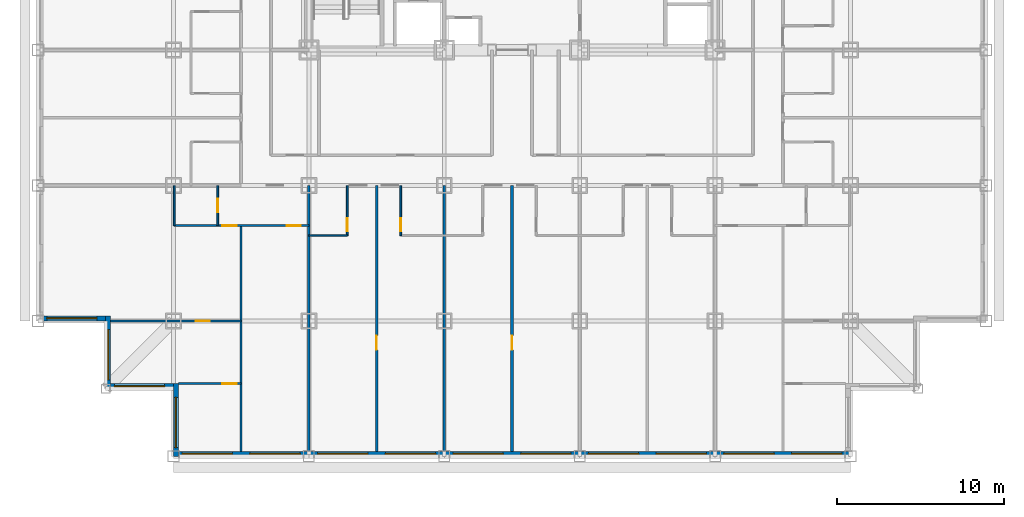
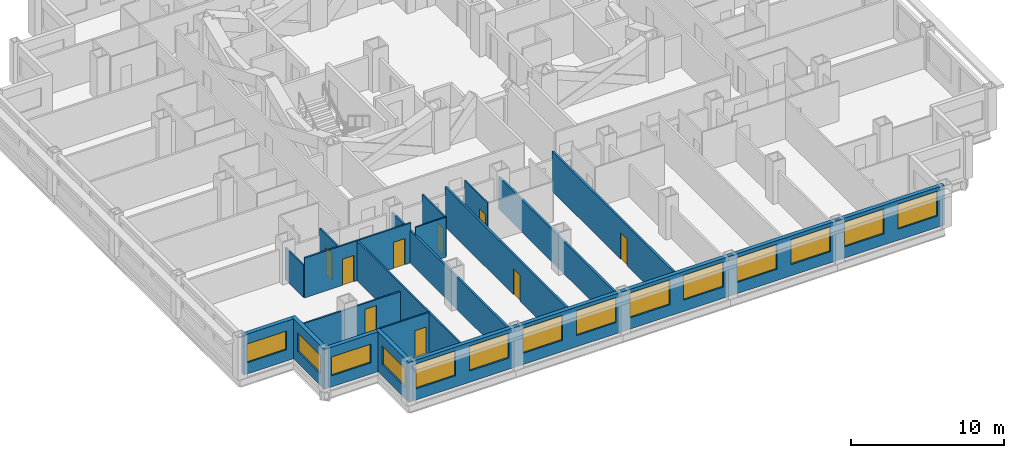
# One storey, part 3 of 12: 18 walls, 14 windows, 9 doors, 23 openings.
"""IFC4 building model written with IfcOpenShell, lengths in metres."""

from ifc_helpers import new_model, si_unit, direction, frame, frame_2d, origin, place, context, subcontext, project, spatial, rectangle, extrude, material, layer, layer_set, type_object, element, fill, save


model = new_model("IFC4")

# Units and contexts
model_context = context("Model", 3, precision=1e-05, world=origin(), true_north=direction((0.0, 1.0)))
body_context = subcontext(model_context, "Body", "Model", "MODEL_VIEW")
ifc_project = project(units=[si_unit("LENGTHUNIT", "METRE"), si_unit("AREAUNIT", "SQUARE_METRE"), si_unit("VOLUMEUNIT", "CUBIC_METRE"), si_unit("PLANEANGLEUNIT", "RADIAN"), si_unit("MASSUNIT", "GRAM", prefix="KILO")], contexts=[model_context])

# Site, building, storey
site_placement = place(None, origin())
site = spatial("IfcSite", under=ifc_project, at=site_placement, CompositionType="ELEMENT")
building_placement = place(site_placement, origin())
building = spatial("IfcBuilding", under=site, at=building_placement, Name="Kopane Lantern Tower", CompositionType="ELEMENT")
storey_placement = place(building_placement, frame((0.0, 0.0, 36.39990234375)))
storey = spatial("IfcBuildingStorey", under=building, at=storey_placement, Name="L07", CompositionType="ELEMENT", Elevation=36.39990234375)

# Wall, openings, doors
ifc_material_1 = material(Name="Gypsum board on steel studs", Category="steel")
ifc_layer_1 = layer(ifc_material_1, 0.1201171875)
ifc_layer_set_1 = layer_set([ifc_layer_1], Name="APARTMENT INTERNAL WALL 120")
wall_type_1 = type_object("IfcWallType", Name="APARTMENT INTERNAL WALL 120", PredefinedType="PARTITIONING", material=ifc_layer_set_1)
wall_1_placement = place(storey_placement, frame((8.14990234375, 13.800048828125, 0.0), z_axis=(0.0, 0.0, 1.0), x_axis=(1.0, 0.0, 0.0)))
wall_1 = element("IfcWall", 1, at=wall_1_placement, inside=storey, type_object=wall_type_1, Name="Apartment Internal Wall 120 L07", PredefinedType="PARTITIONING", context=body_context, shape_type="SweptSolid", body=[
    extrude(rectangle(XDim=8.050048828125, YDim=0.1201171875, at=frame_2d((4.02490234375, 0.0))), origin(), (0.0, 0.0, 1.0), 3.190185546875),
])
opening_1_placement = place(wall_1_placement, frame((6.72509765625, 0.0, 0.0)))
opening_1 = element("IfcOpeningElement", 2, at=opening_1_placement, cuts=wall_1, Name="Opening L07-060", PredefinedType="OPENING", context=body_context, shape_type="SweptSolid", body=[
    extrude(rectangle(XDim=0.85009765625, YDim=2.10009765625, at=frame_2d((0.425048828125, 1.050048828125))), frame((0.0, 0.070068359375, 0.0), z_axis=(0.0, -1.0, 0.0), x_axis=(1.0, 0.0, 0.0)), (0.0, 0.0, 1.0), 0.14013671875),
])
opening_2_placement = place(wall_1_placement, frame((2.875, 0.0, 0.0)))
opening_2 = element("IfcOpeningElement", 3, at=opening_2_placement, cuts=wall_1, Name="Opening L07-062", PredefinedType="OPENING", context=body_context, shape_type="SweptSolid", body=[
    extrude(rectangle(XDim=0.85009765625, YDim=2.10009765625, at=frame_2d((0.425048828125, 1.050048828125))), frame((0.0, 0.070068359375, 0.0), z_axis=(0.0, -1.0, 0.0), x_axis=(1.0, 0.0, 0.0)), (0.0, 0.0, 1.0), 0.14013671875),
])
ifc_material_2 = material(Name="Timber door set", Category="wood")
door_type_1 = type_object("IfcDoorType", Name="DOOR D4 850x2100", OperationType="SINGLE_SWING_LEFT", PredefinedType="DOOR", material=ifc_material_2)
door_1_placement = place(opening_1_placement, origin())
door_1 = element("IfcDoor", 4, at=door_1_placement, inside=storey, type_object=door_type_1, Name="Door L07-060", OperationType="SINGLE_SWING_RIGHT", OverallHeight=2.10009765625, OverallWidth=0.85009765625, PredefinedType="DOOR", context=body_context, shape_type="SweptSolid", body=[
    extrude(rectangle(XDim=0.85009765625, YDim=2.10009765625, at=frame_2d((0.425048828125, 1.050048828125))), frame((0.0, 0.02490234375, 0.0), z_axis=(0.0, -1.0, 0.0), x_axis=(1.0, 0.0, 0.0)), (0.0, 0.0, 1.0), 0.050048828125),
])
fill(opening_1, door_1)
door_2_placement = place(opening_2_placement, origin())
door_2 = element("IfcDoor", 5, at=door_2_placement, inside=storey, type_object=door_type_1, Name="Door L07-062", OperationType="SINGLE_SWING_LEFT", OverallHeight=2.10009765625, OverallWidth=0.85009765625, PredefinedType="DOOR", context=body_context, shape_type="SweptSolid", body=[
    extrude(rectangle(XDim=0.85009765625, YDim=2.10009765625, at=frame_2d((0.425048828125, 1.050048828125))), frame((0.0, 0.02490234375, 0.0), z_axis=(0.0, -1.0, 0.0), x_axis=(1.0, 0.0, 0.0)), (0.0, 0.0, 1.0), 0.050048828125),
])
fill(opening_2, door_2)

# Wall
wall_2_placement = place(storey_placement, frame((12.14990234375, 13.800048828125, 0.0), z_axis=(0.0, 0.0, 1.0), x_axis=(0.0, -1.0, 0.0)))
element("IfcWall", 6, at=wall_2_placement, inside=storey, type_object=wall_type_1, Name="Apartment Internal Wall 120 L07", PredefinedType="PARTITIONING", context=body_context, shape_type="SweptSolid", body=[
    extrude(rectangle(XDim=13.5, YDim=0.1201171875, at=frame_2d((6.75, 0.0))), origin(), (0.0, 0.0, 1.0), 3.190185546875),
])

# Wall, opening, door
wall_3_placement = place(storey_placement, frame((12.14990234375, 8.10009765625, 0.0), z_axis=(0.0, 0.0, 1.0), x_axis=(-1.0, 0.0, 0.0)))
wall_3 = element("IfcWall", 7, at=wall_3_placement, inside=storey, type_object=wall_type_1, Name="Apartment Internal Wall 120 L07", PredefinedType="PARTITIONING", context=body_context, shape_type="SweptSolid", body=[
    extrude(rectangle(XDim=7.7998046875, YDim=0.1201171875, at=frame_2d((3.89990234375, 0.0))), origin(), (0.0, 0.0, 1.0), 2.577880859375),
])
opening_3_placement = place(wall_3_placement, frame((1.875, 0.0, 0.0)))
opening_3 = element("IfcOpeningElement", 8, at=opening_3_placement, cuts=wall_3, Name="Opening L07-063", PredefinedType="OPENING", context=body_context, shape_type="SweptSolid", body=[
    extrude(rectangle(XDim=0.85009765625, YDim=2.10009765625, at=frame_2d((0.425048828125, 1.050048828125))), frame((0.0, 0.070068359375, 0.0), z_axis=(0.0, -1.0, 0.0), x_axis=(1.0, 0.0, 0.0)), (0.0, 0.0, 1.0), 0.14013671875),
])
door_3_placement = place(opening_3_placement, origin())
door_3 = element("IfcDoor", 9, at=door_3_placement, inside=storey, type_object=door_type_1, Name="Door L07-063", OperationType="SINGLE_SWING_LEFT", OverallHeight=2.10009765625, OverallWidth=0.85009765625, PredefinedType="DOOR", context=body_context, shape_type="SweptSolid", body=[
    extrude(rectangle(XDim=0.85009765625, YDim=2.10009765625, at=frame_2d((0.425048828125, 1.050048828125))), frame((0.0, 0.02490234375, 0.0), z_axis=(0.0, -1.0, 0.0), x_axis=(1.0, 0.0, 0.0)), (0.0, 0.0, 1.0), 0.050048828125),
])
fill(opening_3, door_3)

wall_4_placement = place(storey_placement, frame((8.389892578125, 4.35009765625, 0.0), z_axis=(0.0, 0.0, 1.0), x_axis=(1.0, 0.0, 0.0)))
wall_4 = element("IfcWall", 10, at=wall_4_placement, inside=storey, type_object=wall_type_1, Name="Apartment Internal Wall 120 L07", PredefinedType="PARTITIONING", context=body_context, shape_type="SweptSolid", body=[
    extrude(rectangle(XDim=3.760009765625, YDim=0.1201171875, at=frame_2d((1.8798828125, 0.0))), origin(), (0.0, 0.0, 1.0), 3.190185546875),
])
opening_4_placement = place(wall_4_placement, frame((2.635009765625, 0.0, 0.0)))
opening_4 = element("IfcOpeningElement", 11, at=opening_4_placement, cuts=wall_4, Name="Opening L07-075", PredefinedType="OPENING", context=body_context, shape_type="SweptSolid", body=[
    extrude(rectangle(XDim=0.85009765625, YDim=2.10009765625, at=frame_2d((0.425048828125, 1.050048828125))), frame((0.0, 0.070068359375, 0.0), z_axis=(0.0, -1.0, 0.0), x_axis=(1.0, 0.0, 0.0)), (0.0, 0.0, 1.0), 0.14013671875),
])
door_4_placement = place(opening_4_placement, origin())
door_4 = element("IfcDoor", 12, at=door_4_placement, inside=storey, type_object=door_type_1, Name="Door L07-075", OperationType="SINGLE_SWING_RIGHT", OverallHeight=2.10009765625, OverallWidth=0.85009765625, PredefinedType="DOOR", context=body_context, shape_type="SweptSolid", body=[
    extrude(rectangle(XDim=0.85009765625, YDim=2.10009765625, at=frame_2d((0.425048828125, 1.050048828125))), frame((0.0, 0.02490234375, 0.0), z_axis=(0.0, -1.0, 0.0), x_axis=(1.0, 0.0, 0.0)), (0.0, 0.0, 1.0), 0.050048828125),
])
fill(opening_4, door_4)

# Wall
ifc_material_3 = material(Name="Moisture-resistant board on steel studs", Category="steel")
ifc_layer_2 = layer(ifc_material_3, 0.10009765625)
ifc_layer_set_2 = layer_set([ifc_layer_2], Name="BATHROOM WALL 100")
wall_type_2 = type_object("IfcWallType", Name="BATHROOM WALL 100", PredefinedType="PARTITIONING", material=ifc_layer_set_2)
wall_5_placement = place(storey_placement, frame((16.199951171875, 13.199951171875, 0.0), z_axis=(0.0, 0.0, 1.0), x_axis=(1.0, 0.0, 0.0)))
element("IfcWall", 13, at=wall_5_placement, inside=storey, type_object=wall_type_2, Name="Bathroom Wall 100 L07", PredefinedType="PARTITIONING", context=body_context, shape_type="SweptSolid", body=[
    extrude(rectangle(XDim=2.300048828125, YDim=0.10009765625, at=frame_2d((1.14990234375, 0.0))), origin(), (0.0, 0.0, 1.0), 3.190185546875),
])

# Wall, opening, door
wall_6_placement = place(storey_placement, frame((18.5, 16.199951171875, 0.0), z_axis=(0.0, 0.0, 1.0), x_axis=(0.0, -1.0, 0.0)))
wall_6 = element("IfcWall", 14, at=wall_6_placement, inside=storey, type_object=wall_type_2, Name="Bathroom Wall 100 L07", PredefinedType="PARTITIONING", context=body_context, shape_type="SweptSolid", body=[
    extrude(rectangle(XDim=3.0, YDim=0.10009765625, at=frame_2d((1.5, 0.0))), origin(), (0.0, 0.0, 1.0), 3.190185546875),
])
opening_5_placement = place(wall_6_placement, frame((1.949951171875, 0.0, 0.0)))
opening_5 = element("IfcOpeningElement", 15, at=opening_5_placement, cuts=wall_6, Name="Opening L07-009", PredefinedType="OPENING", context=body_context, shape_type="SweptSolid", body=[
    extrude(rectangle(XDim=0.800048828125, YDim=2.10009765625, at=frame_2d((0.39990234375, 1.050048828125))), frame((0.0, 0.06005859375, 0.0), z_axis=(0.0, -1.0, 0.0), x_axis=(1.0, 0.0, 0.0)), (0.0, 0.0, 1.0), 0.1201171875),
])
ifc_material_4 = material(Name="Timber door set", Category="wood")
door_type_2 = type_object("IfcDoorType", Name="DOOR D2 800x2100", OperationType="SINGLE_SWING_LEFT", PredefinedType="DOOR", material=ifc_material_4)
door_5_placement = place(opening_5_placement, origin())
door_5 = element("IfcDoor", 16, at=door_5_placement, inside=storey, type_object=door_type_2, Name="Door L07-009", OperationType="SINGLE_SWING_LEFT", OverallHeight=2.10009765625, OverallWidth=0.800048828125, PredefinedType="DOOR", context=body_context, shape_type="SweptSolid", body=[
    extrude(rectangle(XDim=0.800048828125, YDim=2.10009765625, at=frame_2d((0.39990234375, 1.050048828125))), frame((0.0, 0.02490234375, 0.0), z_axis=(0.0, -1.0, 0.0), x_axis=(1.0, 0.0, 0.0)), (0.0, 0.0, 1.0), 0.050048828125),
])
fill(opening_5, door_5)

wall_7_placement = place(storey_placement, frame((21.699951171875, 16.199951171875, 0.0), z_axis=(0.0, 0.0, 1.0), x_axis=(0.0, -1.0, 0.0)))
wall_7 = element("IfcWall", 17, at=wall_7_placement, inside=storey, type_object=wall_type_2, Name="Bathroom Wall 100 L07", PredefinedType="PARTITIONING", context=body_context, shape_type="SweptSolid", body=[
    extrude(rectangle(XDim=3.0, YDim=0.10009765625, at=frame_2d((1.5, 0.0))), origin(), (0.0, 0.0, 1.0), 3.190185546875),
])
opening_6_placement = place(wall_7_placement, frame((1.949951171875, 0.0, 0.0)))
opening_6 = element("IfcOpeningElement", 18, at=opening_6_placement, cuts=wall_7, Name="Opening L07-011", PredefinedType="OPENING", context=body_context, shape_type="SweptSolid", body=[
    extrude(rectangle(XDim=0.800048828125, YDim=2.10009765625, at=frame_2d((0.39990234375, 1.050048828125))), frame((0.0, 0.06005859375, 0.0), z_axis=(0.0, -1.0, 0.0), x_axis=(1.0, 0.0, 0.0)), (0.0, 0.0, 1.0), 0.1201171875),
])
door_6_placement = place(opening_6_placement, origin())
door_6 = element("IfcDoor", 19, at=door_6_placement, inside=storey, type_object=door_type_2, Name="Door L07-011", OperationType="SINGLE_SWING_RIGHT", OverallHeight=2.10009765625, OverallWidth=0.800048828125, PredefinedType="DOOR", context=body_context, shape_type="SweptSolid", body=[
    extrude(rectangle(XDim=0.800048828125, YDim=2.10009765625, at=frame_2d((0.39990234375, 1.050048828125))), frame((0.0, 0.02490234375, 0.0), z_axis=(0.0, -1.0, 0.0), x_axis=(1.0, 0.0, 0.0)), (0.0, 0.0, 1.0), 0.050048828125),
])
fill(opening_6, door_6)

wall_8_placement = place(storey_placement, frame((10.75, 16.199951171875, 0.0), z_axis=(0.0, 0.0, 1.0), x_axis=(0.0, -1.0, 0.0)))
wall_8 = element("IfcWall", 20, at=wall_8_placement, inside=storey, type_object=wall_type_2, Name="Bathroom Wall 100 L07", PredefinedType="PARTITIONING", context=body_context, shape_type="SweptSolid", body=[
    extrude(rectangle(XDim=2.39990234375, YDim=0.10009765625, at=frame_2d((1.199951171875, 0.0))), origin(), (0.0, 0.0, 1.0), 3.190185546875),
])
opening_7_placement = place(wall_8_placement, frame((0.800048828125, 0.0, 0.0)))
opening_7 = element("IfcOpeningElement", 21, at=opening_7_placement, cuts=wall_8, Name="Opening L07-061", PredefinedType="OPENING", context=body_context, shape_type="SweptSolid", body=[
    extrude(rectangle(XDim=0.800048828125, YDim=2.10009765625, at=frame_2d((0.39990234375, 1.050048828125))), frame((0.0, 0.06005859375, 0.0), z_axis=(0.0, -1.0, 0.0), x_axis=(1.0, 0.0, 0.0)), (0.0, 0.0, 1.0), 0.1201171875),
])
door_7_placement = place(opening_7_placement, origin())
door_7 = element("IfcDoor", 22, at=door_7_placement, inside=storey, type_object=door_type_2, Name="Door L07-061", OperationType="SINGLE_SWING_RIGHT", OverallHeight=2.10009765625, OverallWidth=0.800048828125, PredefinedType="DOOR", context=body_context, shape_type="SweptSolid", body=[
    extrude(rectangle(XDim=0.800048828125, YDim=2.10009765625, at=frame_2d((0.39990234375, 1.050048828125))), frame((0.0, 0.02490234375, 0.0), z_axis=(0.0, -1.0, 0.0), x_axis=(1.0, 0.0, 0.0)), (0.0, 0.0, 1.0), 0.050048828125),
])
fill(opening_7, door_7)

# Wall
wall_9_placement = place(storey_placement, frame((8.14990234375, 16.199951171875, 0.0), z_axis=(0.0, 0.0, 1.0), x_axis=(0.0, -1.0, 0.0)))
element("IfcWall", 23, at=wall_9_placement, inside=storey, type_object=wall_type_2, Name="Bathroom Wall 100 L07", PredefinedType="PARTITIONING", context=body_context, shape_type="SweptSolid", body=[
    extrude(rectangle(XDim=2.39990234375, YDim=0.10009765625, at=frame_2d((1.199951171875, 0.0))), origin(), (0.0, 0.0, 1.0), 2.577880859375),
])

# Wall, opening, door
ifc_material_5 = material(Name="Gypsum board on steel studs", Category="steel")
ifc_layer_3 = layer(ifc_material_5, 0.14990234375)
ifc_layer_set_3 = layer_set([ifc_layer_3], Name="DEMISING WALL 150 EI 60")
wall_type_3 = type_object("IfcWallType", Name="DEMISING WALL 150 EI 60", PredefinedType="PARTITIONING", material=ifc_layer_set_3)
wall_10_placement = place(storey_placement, frame((20.25, 16.199951171875, 0.0), z_axis=(0.0, 0.0, 1.0), x_axis=(0.0, -1.0, 0.0)))
wall_10 = element("IfcWall", 24, at=wall_10_placement, inside=storey, type_object=wall_type_3, Name="Demising Wall 150 Ei 60 L07", PredefinedType="PARTITIONING", context=body_context, shape_type="SweptSolid", body=[
    extrude(rectangle(XDim=15.89990234375, YDim=0.14990234375, at=frame_2d((7.949951171875, 0.0))), origin(), (0.0, 0.0, 1.0), 3.190185546875),
])
opening_8_placement = place(wall_10_placement, frame((8.97509765625, 0.0, 0.0)))
opening_8 = element("IfcOpeningElement", 25, at=opening_8_placement, cuts=wall_10, Name="Opening L07-013", PredefinedType="OPENING", context=body_context, shape_type="SweptSolid", body=[
    extrude(rectangle(XDim=0.85009765625, YDim=2.10009765625, at=frame_2d((0.425048828125, 1.050048828125))), frame((0.0, 0.0849609375, 0.0), z_axis=(0.0, -1.0, 0.0), x_axis=(1.0, 0.0, 0.0)), (0.0, 0.0, 1.0), 0.169921875),
])
ifc_material_6 = material(Name="Steel door set", Category="steel")
door_type_3 = type_object("IfcDoorType", Name="DOOR D11 850x2100 FD30S CONNECTING", OperationType="SINGLE_SWING_LEFT", PredefinedType="DOOR", material=ifc_material_6)
door_8_placement = place(opening_8_placement, origin())
door_8 = element("IfcDoor", 26, at=door_8_placement, inside=storey, type_object=door_type_3, Name="Door L07-013", OperationType="SINGLE_SWING_LEFT", OverallHeight=2.10009765625, OverallWidth=0.85009765625, PredefinedType="DOOR", context=body_context, shape_type="SweptSolid", body=[
    extrude(rectangle(XDim=0.85009765625, YDim=2.10009765625, at=frame_2d((0.425048828125, 1.050048828125))), frame((0.0, 0.02490234375, 0.0), z_axis=(0.0, -1.0, 0.0), x_axis=(1.0, 0.0, 0.0)), (0.0, 0.0, 1.0), 0.050048828125),
])
fill(opening_8, door_8)

# Wall
wall_11_placement = place(storey_placement, frame((24.300048828125, 16.199951171875, 0.0), z_axis=(0.0, 0.0, 1.0), x_axis=(0.0, -1.0, 0.0)))
element("IfcWall", 27, at=wall_11_placement, inside=storey, type_object=wall_type_3, Name="Demising Wall 150 Ei 60 L07", PredefinedType="PARTITIONING", context=body_context, shape_type="SweptSolid", body=[
    extrude(rectangle(XDim=15.89990234375, YDim=0.14990234375, at=frame_2d((7.949951171875, 0.0))), origin(), (0.0, 0.0, 1.0), 2.577880859375),
])

# Wall, opening, door
wall_12_placement = place(storey_placement, frame((28.35009765625, 16.199951171875, 0.0), z_axis=(0.0, 0.0, 1.0), x_axis=(0.0, -1.0, 0.0)))
wall_12 = element("IfcWall", 28, at=wall_12_placement, inside=storey, type_object=wall_type_3, Name="Demising Wall 150 Ei 60 L07", PredefinedType="PARTITIONING", context=body_context, shape_type="SweptSolid", body=[
    extrude(rectangle(XDim=15.89990234375, YDim=0.14990234375, at=frame_2d((7.949951171875, 0.0))), origin(), (0.0, 0.0, 1.0), 3.190185546875),
])
opening_9_placement = place(wall_12_placement, frame((8.97509765625, 0.0, 0.0)))
opening_9 = element("IfcOpeningElement", 29, at=opening_9_placement, cuts=wall_12, Name="Opening L07-018", PredefinedType="OPENING", context=body_context, shape_type="SweptSolid", body=[
    extrude(rectangle(XDim=0.85009765625, YDim=2.10009765625, at=frame_2d((0.425048828125, 1.050048828125))), frame((0.0, 0.0849609375, 0.0), z_axis=(0.0, -1.0, 0.0), x_axis=(1.0, 0.0, 0.0)), (0.0, 0.0, 1.0), 0.169921875),
])
door_9_placement = place(opening_9_placement, origin())
door_9 = element("IfcDoor", 30, at=door_9_placement, inside=storey, type_object=door_type_3, Name="Door L07-018", OperationType="SINGLE_SWING_LEFT", OverallHeight=2.10009765625, OverallWidth=0.85009765625, PredefinedType="DOOR", context=body_context, shape_type="SweptSolid", body=[
    extrude(rectangle(XDim=0.85009765625, YDim=2.10009765625, at=frame_2d((0.425048828125, 1.050048828125))), frame((0.0, 0.02490234375, 0.0), z_axis=(0.0, -1.0, 0.0), x_axis=(1.0, 0.0, 0.0)), (0.0, 0.0, 1.0), 0.050048828125),
])
fill(opening_9, door_9)

# Wall
wall_13_placement = place(storey_placement, frame((16.199951171875, 16.199951171875, 0.0), z_axis=(0.0, 0.0, 1.0), x_axis=(0.0, -1.0, 0.0)))
element("IfcWall", 31, at=wall_13_placement, inside=storey, type_object=wall_type_3, Name="Demising Wall 150 Ei 60 L07", PredefinedType="PARTITIONING", context=body_context, shape_type="SweptSolid", body=[
    extrude(rectangle(XDim=15.89990234375, YDim=0.14990234375, at=frame_2d((7.949951171875, 0.0))), origin(), (0.0, 0.0, 1.0), 2.577880859375),
])

# Wall, openings, windows
ifc_material_7 = material(Name="Terracotta rainscreen on light steel framing", Category="masonry")
ifc_layer_4 = layer(ifc_material_7, 0.300048828125)
ifc_layer_set_4 = layer_set([ifc_layer_4], Name="EXTERNAL WALL EW1 300 TERRACOTTA")
wall_type_4 = type_object("IfcWallType", Name="EXTERNAL WALL EW1 300 TERRACOTTA", PredefinedType="SOLIDWALL", material=ifc_layer_set_4)
wall_14_placement = place(storey_placement, frame((8.39990234375, 0.14990234375, 0.0), z_axis=(0.0, 0.0, 1.0), x_axis=(1.0, 0.0, 0.0)))
wall_14 = element("IfcWall", 32, at=wall_14_placement, inside=storey, type_object=wall_type_4, Name="External wall S L07", PredefinedType="SOLIDWALL", context=body_context, shape_type="SweptSolid", body=[
    extrude(rectangle(XDim=40.2001953125, YDim=0.300048828125, at=frame_2d((20.10009765625, 0.0))), origin(), (0.0, 0.0, 1.0), 3.190185546875),
])
opening_10_placement = place(wall_14_placement, frame((0.22509765625, 0.0, 0.89990234375)))
opening_10 = element("IfcOpeningElement", 33, at=opening_10_placement, cuts=wall_14, Name="Opening WR300200", PredefinedType="OPENING", context=body_context, shape_type="SweptSolid", body=[
    extrude(rectangle(XDim=3.0, YDim=2.0, at=frame_2d((1.5, 1.0))), frame((0.0, 0.159912109375, 0.0), z_axis=(0.0, -1.0, 0.0), x_axis=(1.0, 0.0, 0.0)), (0.0, 0.0, 1.0), 0.320068359375),
])
opening_11_placement = place(wall_14_placement, frame((4.27490234375, 0.0, 0.89990234375)))
opening_11 = element("IfcOpeningElement", 34, at=opening_11_placement, cuts=wall_14, Name="Opening WR300200", PredefinedType="OPENING", context=body_context, shape_type="SweptSolid", body=[
    extrude(rectangle(XDim=3.0, YDim=2.0, at=frame_2d((1.5, 1.0))), frame((0.0, 0.159912109375, 0.0), z_axis=(0.0, -1.0, 0.0), x_axis=(1.0, 0.0, 0.0)), (0.0, 0.0, 1.0), 0.320068359375),
])
opening_12_placement = place(wall_14_placement, frame((8.324951171875, 0.0, 0.89990234375)))
opening_12 = element("IfcOpeningElement", 35, at=opening_12_placement, cuts=wall_14, Name="Opening WR300200", PredefinedType="OPENING", context=body_context, shape_type="SweptSolid", body=[
    extrude(rectangle(XDim=3.0, YDim=2.0, at=frame_2d((1.5, 1.0))), frame((0.0, 0.159912109375, 0.0), z_axis=(0.0, -1.0, 0.0), x_axis=(1.0, 0.0, 0.0)), (0.0, 0.0, 1.0), 0.320068359375),
])
opening_13_placement = place(wall_14_placement, frame((12.375, 0.0, 0.89990234375)))
opening_13 = element("IfcOpeningElement", 36, at=opening_13_placement, cuts=wall_14, Name="Opening WR300200", PredefinedType="OPENING", context=body_context, shape_type="SweptSolid", body=[
    extrude(rectangle(XDim=3.0, YDim=2.0, at=frame_2d((1.5, 1.0))), frame((0.0, 0.159912109375, 0.0), z_axis=(0.0, -1.0, 0.0), x_axis=(1.0, 0.0, 0.0)), (0.0, 0.0, 1.0), 0.320068359375),
])
opening_14_placement = place(wall_14_placement, frame((16.425048828125, 0.0, 0.89990234375)))
opening_14 = element("IfcOpeningElement", 37, at=opening_14_placement, cuts=wall_14, Name="Opening WR300200", PredefinedType="OPENING", context=body_context, shape_type="SweptSolid", body=[
    extrude(rectangle(XDim=3.0, YDim=2.0, at=frame_2d((1.5, 1.0))), frame((0.0, 0.159912109375, 0.0), z_axis=(0.0, -1.0, 0.0), x_axis=(1.0, 0.0, 0.0)), (0.0, 0.0, 1.0), 0.320068359375),
])
opening_15_placement = place(wall_14_placement, frame((20.47509765625, 0.0, 0.89990234375)))
opening_15 = element("IfcOpeningElement", 38, at=opening_15_placement, cuts=wall_14, Name="Opening WR300200", PredefinedType="OPENING", context=body_context, shape_type="SweptSolid", body=[
    extrude(rectangle(XDim=3.0, YDim=2.0, at=frame_2d((1.5, 1.0))), frame((0.0, 0.159912109375, 0.0), z_axis=(0.0, -1.0, 0.0), x_axis=(1.0, 0.0, 0.0)), (0.0, 0.0, 1.0), 0.320068359375),
])
opening_16_placement = place(wall_14_placement, frame((24.52490234375, 0.0, 0.89990234375)))
opening_16 = element("IfcOpeningElement", 39, at=opening_16_placement, cuts=wall_14, Name="Opening WR300200", PredefinedType="OPENING", context=body_context, shape_type="SweptSolid", body=[
    extrude(rectangle(XDim=3.0, YDim=2.0, at=frame_2d((1.5, 1.0))), frame((0.0, 0.159912109375, 0.0), z_axis=(0.0, -1.0, 0.0), x_axis=(1.0, 0.0, 0.0)), (0.0, 0.0, 1.0), 0.320068359375),
])
opening_17_placement = place(wall_14_placement, frame((28.574951171875, 0.0, 0.89990234375)))
opening_17 = element("IfcOpeningElement", 40, at=opening_17_placement, cuts=wall_14, Name="Opening WR300200", PredefinedType="OPENING", context=body_context, shape_type="SweptSolid", body=[
    extrude(rectangle(XDim=3.0, YDim=2.0, at=frame_2d((1.5, 1.0))), frame((0.0, 0.159912109375, 0.0), z_axis=(0.0, -1.0, 0.0), x_axis=(1.0, 0.0, 0.0)), (0.0, 0.0, 1.0), 0.320068359375),
])
opening_18_placement = place(wall_14_placement, frame((32.625, 0.0, 0.89990234375)))
opening_18 = element("IfcOpeningElement", 41, at=opening_18_placement, cuts=wall_14, Name="Opening WR300200", PredefinedType="OPENING", context=body_context, shape_type="SweptSolid", body=[
    extrude(rectangle(XDim=3.0, YDim=2.0, at=frame_2d((1.5, 1.0))), frame((0.0, 0.159912109375, 0.0), z_axis=(0.0, -1.0, 0.0), x_axis=(1.0, 0.0, 0.0)), (0.0, 0.0, 1.0), 0.320068359375),
])
opening_19_placement = place(wall_14_placement, frame((36.675048828125, 0.0, 0.89990234375)))
opening_19 = element("IfcOpeningElement", 42, at=opening_19_placement, cuts=wall_14, Name="Opening WR300200", PredefinedType="OPENING", context=body_context, shape_type="SweptSolid", body=[
    extrude(rectangle(XDim=3.0, YDim=2.0, at=frame_2d((1.5, 1.0))), frame((0.0, 0.159912109375, 0.0), z_axis=(0.0, -1.0, 0.0), x_axis=(1.0, 0.0, 0.0)), (0.0, 0.0, 1.0), 0.320068359375),
])
ifc_material_8 = material(Name="Aluminium and clear glass", Category="aluminium")
window_type_1 = type_object("IfcWindowType", Name="RIBBON WINDOW WR300200 3000x2000", PartitioningType="SINGLE_PANEL", PredefinedType="WINDOW", material=ifc_material_8)
window_1_placement = place(opening_10_placement, origin())
window_1 = element("IfcWindow", 43, at=window_1_placement, inside=storey, type_object=window_type_1, Name="Window S L07", OverallHeight=2.0, OverallWidth=3.0, PartitioningType="SINGLE_PANEL", PredefinedType="WINDOW", context=body_context, shape_type="SweptSolid", body=[
    extrude(rectangle(XDim=3.0, YDim=2.0, at=frame_2d((1.5, 1.0))), frame((0.0, 0.030029296875, 0.0), z_axis=(0.0, -1.0, 0.0), x_axis=(1.0, 0.0, 0.0)), (0.0, 0.0, 1.0), 0.06005859375),
])
fill(opening_10, window_1)
window_2_placement = place(opening_11_placement, origin())
window_2 = element("IfcWindow", 44, at=window_2_placement, inside=storey, type_object=window_type_1, Name="Window S L07", OverallHeight=2.0, OverallWidth=3.0, PartitioningType="SINGLE_PANEL", PredefinedType="WINDOW", context=body_context, shape_type="SweptSolid", body=[
    extrude(rectangle(XDim=3.0, YDim=2.0, at=frame_2d((1.5, 1.0))), frame((0.0, 0.030029296875, 0.0), z_axis=(0.0, -1.0, 0.0), x_axis=(1.0, 0.0, 0.0)), (0.0, 0.0, 1.0), 0.06005859375),
])
fill(opening_11, window_2)
window_3_placement = place(opening_12_placement, origin())
window_3 = element("IfcWindow", 45, at=window_3_placement, inside=storey, type_object=window_type_1, Name="Window S L07", OverallHeight=2.0, OverallWidth=3.0, PartitioningType="SINGLE_PANEL", PredefinedType="WINDOW", context=body_context, shape_type="SweptSolid", body=[
    extrude(rectangle(XDim=3.0, YDim=2.0, at=frame_2d((1.5, 1.0))), frame((0.0, 0.030029296875, 0.0), z_axis=(0.0, -1.0, 0.0), x_axis=(1.0, 0.0, 0.0)), (0.0, 0.0, 1.0), 0.06005859375),
])
fill(opening_12, window_3)
window_4_placement = place(opening_13_placement, origin())
window_4 = element("IfcWindow", 46, at=window_4_placement, inside=storey, type_object=window_type_1, Name="Window S L07", OverallHeight=2.0, OverallWidth=3.0, PartitioningType="SINGLE_PANEL", PredefinedType="WINDOW", context=body_context, shape_type="SweptSolid", body=[
    extrude(rectangle(XDim=3.0, YDim=2.0, at=frame_2d((1.5, 1.0))), frame((0.0, 0.030029296875, 0.0), z_axis=(0.0, -1.0, 0.0), x_axis=(1.0, 0.0, 0.0)), (0.0, 0.0, 1.0), 0.06005859375),
])
fill(opening_13, window_4)
window_5_placement = place(opening_14_placement, origin())
window_5 = element("IfcWindow", 47, at=window_5_placement, inside=storey, type_object=window_type_1, Name="Window S L07", OverallHeight=2.0, OverallWidth=3.0, PartitioningType="SINGLE_PANEL", PredefinedType="WINDOW", context=body_context, shape_type="SweptSolid", body=[
    extrude(rectangle(XDim=3.0, YDim=2.0, at=frame_2d((1.5, 1.0))), frame((0.0, 0.030029296875, 0.0), z_axis=(0.0, -1.0, 0.0), x_axis=(1.0, 0.0, 0.0)), (0.0, 0.0, 1.0), 0.06005859375),
])
fill(opening_14, window_5)
window_6_placement = place(opening_15_placement, origin())
window_6 = element("IfcWindow", 48, at=window_6_placement, inside=storey, type_object=window_type_1, Name="Window S L07", OverallHeight=2.0, OverallWidth=3.0, PartitioningType="SINGLE_PANEL", PredefinedType="WINDOW", context=body_context, shape_type="SweptSolid", body=[
    extrude(rectangle(XDim=3.0, YDim=2.0, at=frame_2d((1.5, 1.0))), frame((0.0, 0.030029296875, 0.0), z_axis=(0.0, -1.0, 0.0), x_axis=(1.0, 0.0, 0.0)), (0.0, 0.0, 1.0), 0.06005859375),
])
fill(opening_15, window_6)
window_7_placement = place(opening_16_placement, origin())
window_7 = element("IfcWindow", 49, at=window_7_placement, inside=storey, type_object=window_type_1, Name="Window S L07", OverallHeight=2.0, OverallWidth=3.0, PartitioningType="SINGLE_PANEL", PredefinedType="WINDOW", context=body_context, shape_type="SweptSolid", body=[
    extrude(rectangle(XDim=3.0, YDim=2.0, at=frame_2d((1.5, 1.0))), frame((0.0, 0.030029296875, 0.0), z_axis=(0.0, -1.0, 0.0), x_axis=(1.0, 0.0, 0.0)), (0.0, 0.0, 1.0), 0.06005859375),
])
fill(opening_16, window_7)
window_8_placement = place(opening_17_placement, origin())
window_8 = element("IfcWindow", 50, at=window_8_placement, inside=storey, type_object=window_type_1, Name="Window S L07", OverallHeight=2.0, OverallWidth=3.0, PartitioningType="SINGLE_PANEL", PredefinedType="WINDOW", context=body_context, shape_type="SweptSolid", body=[
    extrude(rectangle(XDim=3.0, YDim=2.0, at=frame_2d((1.5, 1.0))), frame((0.0, 0.030029296875, 0.0), z_axis=(0.0, -1.0, 0.0), x_axis=(1.0, 0.0, 0.0)), (0.0, 0.0, 1.0), 0.06005859375),
])
fill(opening_17, window_8)
window_9_placement = place(opening_18_placement, origin())
window_9 = element("IfcWindow", 51, at=window_9_placement, inside=storey, type_object=window_type_1, Name="Window S L07", OverallHeight=2.0, OverallWidth=3.0, PartitioningType="SINGLE_PANEL", PredefinedType="WINDOW", context=body_context, shape_type="SweptSolid", body=[
    extrude(rectangle(XDim=3.0, YDim=2.0, at=frame_2d((1.5, 1.0))), frame((0.0, 0.030029296875, 0.0), z_axis=(0.0, -1.0, 0.0), x_axis=(1.0, 0.0, 0.0)), (0.0, 0.0, 1.0), 0.06005859375),
])
fill(opening_18, window_9)
window_10_placement = place(opening_19_placement, origin())
window_10 = element("IfcWindow", 52, at=window_10_placement, inside=storey, type_object=window_type_1, Name="Window S L07", OverallHeight=2.0, OverallWidth=3.0, PartitioningType="SINGLE_PANEL", PredefinedType="WINDOW", context=body_context, shape_type="SweptSolid", body=[
    extrude(rectangle(XDim=3.0, YDim=2.0, at=frame_2d((1.5, 1.0))), frame((0.0, 0.030029296875, 0.0), z_axis=(0.0, -1.0, 0.0), x_axis=(1.0, 0.0, 0.0)), (0.0, 0.0, 1.0), 0.06005859375),
])
fill(opening_19, window_10)

# Wall, opening, window
wall_15_placement = place(storey_placement, frame((0.300048828125, 8.25, 0.0), z_axis=(0.0, 0.0, 1.0), x_axis=(1.0, 0.0, 0.0)))
wall_15 = element("IfcWall", 53, at=wall_15_placement, inside=storey, type_object=wall_type_4, Name="External wall S L07", PredefinedType="SOLIDWALL", context=body_context, shape_type="SweptSolid", body=[
    extrude(rectangle(XDim=3.75, YDim=0.300048828125, at=frame_2d((1.875, 0.0))), origin(), (0.0, 0.0, 1.0), 3.190185546875),
])
opening_20_placement = place(wall_15_placement, frame((0.22509765625, 0.0, 0.89990234375)))
opening_20 = element("IfcOpeningElement", 54, at=opening_20_placement, cuts=wall_15, Name="Opening WR300150", PredefinedType="OPENING", context=body_context, shape_type="SweptSolid", body=[
    extrude(rectangle(XDim=3.0, YDim=1.5, at=frame_2d((1.5, 0.75))), frame((0.0, 0.159912109375, 0.0), z_axis=(0.0, -1.0, 0.0), x_axis=(1.0, 0.0, 0.0)), (0.0, 0.0, 1.0), 0.320068359375),
])
ifc_material_9 = material(Name="Aluminium and clear glass", Category="aluminium")
window_type_2 = type_object("IfcWindowType", Name="RIBBON WINDOW WR300150 3000x1500", PartitioningType="SINGLE_PANEL", PredefinedType="WINDOW", material=ifc_material_9)
window_11_placement = place(opening_20_placement, origin())
window_11 = element("IfcWindow", 55, at=window_11_placement, inside=storey, type_object=window_type_2, Name="Window S L07", OverallHeight=1.5, OverallWidth=3.0, PartitioningType="SINGLE_PANEL", PredefinedType="WINDOW", context=body_context, shape_type="SweptSolid", body=[
    extrude(rectangle(XDim=3.0, YDim=1.5, at=frame_2d((1.5, 0.75))), frame((0.0, 0.030029296875, 0.0), z_axis=(0.0, -1.0, 0.0), x_axis=(1.0, 0.0, 0.0)), (0.0, 0.0, 1.0), 0.06005859375),
])
fill(opening_20, window_11)

wall_16_placement = place(storey_placement, frame((4.199951171875, 8.39990234375, 0.0), z_axis=(0.0, 0.0, 1.0), x_axis=(0.0, -1.0, 0.0)))
wall_16 = element("IfcWall", 56, at=wall_16_placement, inside=storey, type_object=wall_type_4, Name="External wall W L07", PredefinedType="SOLIDWALL", context=body_context, shape_type="SweptSolid", body=[
    extrude(rectangle(XDim=4.349853515625, YDim=0.300048828125, at=frame_2d((2.1748046875, 0.0))), origin(), (0.0, 0.0, 1.0), 3.190185546875),
])
opening_21_placement = place(wall_16_placement, frame((0.824951171875, 0.0, 0.89990234375)))
opening_21 = element("IfcOpeningElement", 57, at=opening_21_placement, cuts=wall_16, Name="Opening WR300150", PredefinedType="OPENING", context=body_context, shape_type="SweptSolid", body=[
    extrude(rectangle(XDim=3.0, YDim=1.5, at=frame_2d((1.5, 0.75))), frame((0.0, 0.159912109375, 0.0), z_axis=(0.0, -1.0, 0.0), x_axis=(1.0, 0.0, 0.0)), (0.0, 0.0, 1.0), 0.320068359375),
])
window_12_placement = place(opening_21_placement, origin())
window_12 = element("IfcWindow", 58, at=window_12_placement, inside=storey, type_object=window_type_2, Name="Window W L07", OverallHeight=1.5, OverallWidth=3.0, PartitioningType="SINGLE_PANEL", PredefinedType="WINDOW", context=body_context, shape_type="SweptSolid", body=[
    extrude(rectangle(XDim=3.0, YDim=1.5, at=frame_2d((1.5, 0.75))), frame((0.0, 0.030029296875, 0.0), z_axis=(0.0, -1.0, 0.0), x_axis=(1.0, 0.0, 0.0)), (0.0, 0.0, 1.0), 0.06005859375),
])
fill(opening_21, window_12)

wall_17_placement = place(storey_placement, frame((4.35009765625, 4.199951171875, 0.0), z_axis=(0.0, 0.0, 1.0), x_axis=(1.0, 0.0, 0.0)))
wall_17 = element("IfcWall", 59, at=wall_17_placement, inside=storey, type_object=wall_type_4, Name="External wall S L07", PredefinedType="SOLIDWALL", context=body_context, shape_type="SweptSolid", body=[
    extrude(rectangle(XDim=3.75, YDim=0.300048828125, at=frame_2d((1.875, 0.0))), origin(), (0.0, 0.0, 1.0), 3.190185546875),
])
opening_22_placement = place(wall_17_placement, frame((0.22509765625, 0.0, 0.89990234375)))
opening_22 = element("IfcOpeningElement", 60, at=opening_22_placement, cuts=wall_17, Name="Opening WR300150", PredefinedType="OPENING", context=body_context, shape_type="SweptSolid", body=[
    extrude(rectangle(XDim=3.0, YDim=1.5, at=frame_2d((1.5, 0.75))), frame((0.0, 0.159912109375, 0.0), z_axis=(0.0, -1.0, 0.0), x_axis=(1.0, 0.0, 0.0)), (0.0, 0.0, 1.0), 0.320068359375),
])
window_13_placement = place(opening_22_placement, origin())
window_13 = element("IfcWindow", 61, at=window_13_placement, inside=storey, type_object=window_type_2, Name="Window S L07", OverallHeight=1.5, OverallWidth=3.0, PartitioningType="SINGLE_PANEL", PredefinedType="WINDOW", context=body_context, shape_type="SweptSolid", body=[
    extrude(rectangle(XDim=3.0, YDim=1.5, at=frame_2d((1.5, 0.75))), frame((0.0, 0.030029296875, 0.0), z_axis=(0.0, -1.0, 0.0), x_axis=(1.0, 0.0, 0.0)), (0.0, 0.0, 1.0), 0.06005859375),
])
fill(opening_22, window_13)

wall_18_placement = place(storey_placement, frame((8.25, 4.35009765625, 0.0), z_axis=(0.0, 0.0, 1.0), x_axis=(0.0, -1.0, 0.0)))
wall_18 = element("IfcWall", 62, at=wall_18_placement, inside=storey, type_object=wall_type_4, Name="External wall W L07", PredefinedType="SOLIDWALL", context=body_context, shape_type="SweptSolid", body=[
    extrude(rectangle(XDim=4.35009765625, YDim=0.300048828125, at=frame_2d((2.175048828125, 0.0))), origin(), (0.0, 0.0, 1.0), 3.190185546875),
])
opening_23_placement = place(wall_18_placement, frame((0.824951171875, 0.0, 0.89990234375)))
opening_23 = element("IfcOpeningElement", 63, at=opening_23_placement, cuts=wall_18, Name="Opening WR300150", PredefinedType="OPENING", context=body_context, shape_type="SweptSolid", body=[
    extrude(rectangle(XDim=3.0, YDim=1.5, at=frame_2d((1.5, 0.75))), frame((0.0, 0.159912109375, 0.0), z_axis=(0.0, -1.0, 0.0), x_axis=(1.0, 0.0, 0.0)), (0.0, 0.0, 1.0), 0.320068359375),
])
window_14_placement = place(opening_23_placement, origin())
window_14 = element("IfcWindow", 64, at=window_14_placement, inside=storey, type_object=window_type_2, Name="Window W L07", OverallHeight=1.5, OverallWidth=3.0, PartitioningType="SINGLE_PANEL", PredefinedType="WINDOW", context=body_context, shape_type="SweptSolid", body=[
    extrude(rectangle(XDim=3.0, YDim=1.5, at=frame_2d((1.5, 0.75))), frame((0.0, 0.030029296875, 0.0), z_axis=(0.0, -1.0, 0.0), x_axis=(1.0, 0.0, 0.0)), (0.0, 0.0, 1.0), 0.06005859375),
])
fill(opening_23, window_14)

save(model, "model.ifc")
